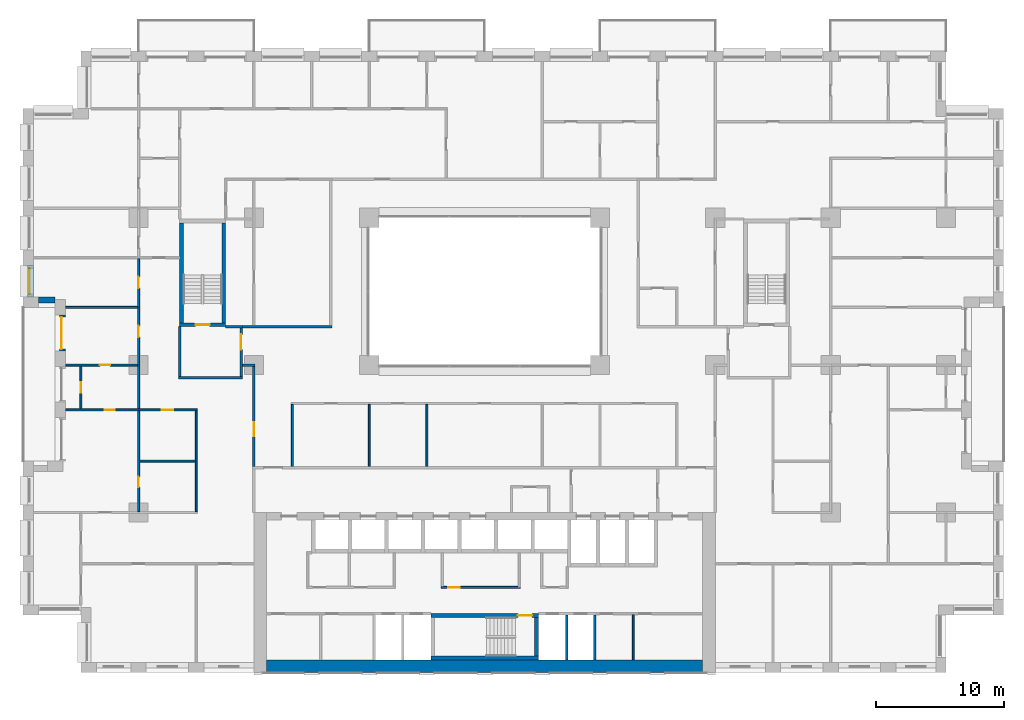
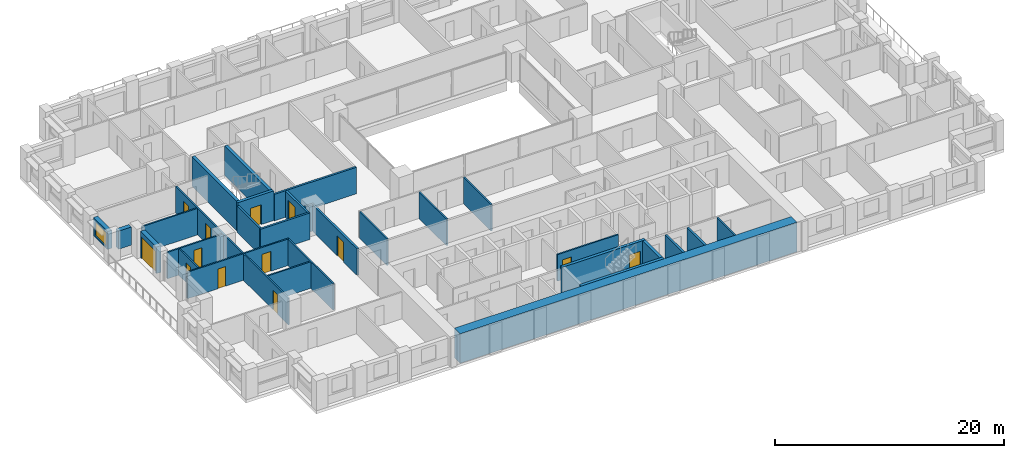
# One storey, part 10 of 20: 32 walls, 13 doors, 1 window, 14 openings.
"""IFC4 building model written with IfcOpenShell, lengths in metres."""

from ifc_helpers import new_model, si_unit, direction, frame, frame_2d, origin, place, context, subcontext, project, spatial, rectangle, extrude, material, layer, layer_set, type_object, element, fill, save


model = new_model("IFC4")

# Units and contexts
model_context = context("Model", 3, precision=1e-05, world=origin(), true_north=direction((0.0, 1.0)))
body_context = subcontext(model_context, "Body", "Model", "MODEL_VIEW")
ifc_project = project(units=[si_unit("LENGTHUNIT", "METRE"), si_unit("AREAUNIT", "SQUARE_METRE"), si_unit("VOLUMEUNIT", "CUBIC_METRE"), si_unit("PLANEANGLEUNIT", "RADIAN"), si_unit("MASSUNIT", "GRAM", prefix="KILO")], contexts=[model_context])

# Site, building, storey
site_placement = place(None, origin())
site = spatial("IfcSite", under=ifc_project, at=site_placement, CompositionType="ELEMENT")
building_placement = place(site_placement, origin())
building = spatial("IfcBuilding", under=site, at=building_placement, Name="Brigalow Station Residences", CompositionType="ELEMENT")
storey_placement = place(building_placement, frame((0.0, 0.0, 44.699951171875)))
storey = spatial("IfcBuildingStorey", under=building, at=storey_placement, Name="L12", CompositionType="ELEMENT", Elevation=44.699951171875)

# Wall, opening, window
ifc_material_1 = material(Name="Clay brick masonry", Category="masonry")
ifc_layer_1 = layer(ifc_material_1, 0.449951171875)
ifc_layer_set_1 = layer_set([ifc_layer_1], Name="BRICK INFILL WALL 450")
wall_type_1 = type_object("IfcWallType", Name="BRICK INFILL WALL 450", PredefinedType="SOLIDWALL", material=ifc_layer_set_1)
wall_1_placement = place(storey_placement, frame((0.574951171875, 31.77490234375, 0.900146484375), z_axis=(0.0, 0.0, 1.0), x_axis=(0.0, -1.0, 0.0)))
wall_1 = element("IfcWall", 1, at=wall_1_placement, inside=storey, type_object=wall_type_1, Name="L12/ewall/W-L12-45", PredefinedType="SOLIDWALL", context=body_context, shape_type="SweptSolid", body=[
    extrude(rectangle(XDim=2.474853515625, YDim=0.449951171875, at=frame_2d((1.2373046875, 0.0))), origin(), (0.0, 0.0, 1.0), 1.929931640625),
])
opening_1_placement = place(wall_1_placement, frame((0.237548828125, 0.0, 0.14990234375)))
opening_1 = element("IfcOpeningElement", 2, at=opening_1_placement, cuts=wall_1, Name="Opening WT-7", PredefinedType="OPENING", context=body_context, shape_type="SweptSolid", body=[
    extrude(rectangle(XDim=2.0, YDim=1.5, at=frame_2d((1.0, 0.75))), frame((0.0, 0.23486328125, 0.0), z_axis=(0.0, -1.0, 0.0), x_axis=(1.0, 0.0, 0.0)), (0.0, 0.0, 1.0), 0.469970703125),
])
ifc_material_2 = material(Name="Anodised aluminium frame with double glazing", Category="aluminium")
window_type = type_object("IfcWindowType", Name="WINDOW 2000x1500", PartitioningType="SINGLE_PANEL", PredefinedType="WINDOW", material=ifc_material_2)
window_placement = place(opening_1_placement, origin())
window = element("IfcWindow", 3, at=window_placement, inside=storey, type_object=window_type, Name="L12/window/W-L12-45", OverallHeight=1.5, OverallWidth=2.0, PartitioningType="SINGLE_PANEL", PredefinedType="WINDOW", context=body_context, shape_type="SweptSolid", body=[
    extrude(rectangle(XDim=2.0, YDim=1.5, at=frame_2d((1.0, 0.75))), frame((0.0, -0.06494140625, 0.0), z_axis=(0.0, -1.0, 0.0), x_axis=(1.0, 0.0, 0.0)), (0.0, 0.0, 1.0), 0.06005859375),
])
fill(opening_1, window)

# Wall
wall_2_placement = place(storey_placement, frame((1.199951171875, 29.074951171875, 0.900146484375), z_axis=(0.0, 0.0, 1.0), x_axis=(1.0, 0.0, 0.0)))
element("IfcWall", 4, at=wall_2_placement, inside=storey, type_object=wall_type_1, Name="L12/ewall/W-L12-46", PredefinedType="SOLIDWALL", context=body_context, shape_type="SweptSolid", body=[
    extrude(rectangle(XDim=1.300048828125, YDim=0.449951171875, at=frame_2d((0.64990234375, 0.0))), origin(), (0.0, 0.0, 1.0), 1.929931640625),
])

# Wall, opening, door
wall_3_placement = place(storey_placement, frame((3.074951171875, 27.89990234375, 0.0), z_axis=(0.0, 0.0, 1.0), x_axis=(0.0, -1.0, 0.0)))
wall_3 = element("IfcWall", 5, at=wall_3_placement, inside=storey, type_object=wall_type_1, Name="L12/ewall/W-L12-47", PredefinedType="SOLIDWALL", context=body_context, shape_type="SweptSolid", body=[
    extrude(rectangle(XDim=2.7998046875, YDim=0.449951171875, at=frame_2d((1.39990234375, 0.0))), origin(), (0.0, 0.0, 1.0), 2.830078125),
])
opening_2_placement = place(wall_3_placement, frame((0.14990234375, 0.0, 0.0)))
opening_2 = element("IfcOpeningElement", 6, at=opening_2_placement, cuts=wall_3, Name="Opening D-B2500", PredefinedType="OPENING", context=body_context, shape_type="SweptSolid", body=[
    extrude(rectangle(XDim=2.5, YDim=2.300048828125, at=frame_2d((1.25, 1.14990234375))), frame((0.0, 0.23486328125, 0.0), z_axis=(0.0, -1.0, 0.0), x_axis=(1.0, 0.0, 0.0)), (0.0, 0.0, 1.0), 0.469970703125),
])
ifc_material_3 = material(Name="Anodised aluminium frame with double glazing", Category="aluminium")
door_type_1 = type_object("IfcDoorType", Name="BALCONY SLIDING DOOR 2500x2300", OperationType="SLIDING_TO_LEFT", PredefinedType="DOOR", material=ifc_material_3)
door_1_placement = place(opening_2_placement, origin())
door_1 = element("IfcDoor", 7, at=door_1_placement, inside=storey, type_object=door_type_1, Name="L12/balcony-door/W-L12-47", OperationType="SLIDING_TO_LEFT", OverallHeight=2.300048828125, OverallWidth=2.5, PredefinedType="DOOR", context=body_context, shape_type="SweptSolid", body=[
    extrude(rectangle(XDim=2.5, YDim=2.300048828125, at=frame_2d((1.25, 1.14990234375))), frame((0.0, -0.06982421875, 0.0), z_axis=(0.0, -1.0, 0.0), x_axis=(1.0, 0.0, 0.0)), (0.0, 0.0, 1.0), 0.050048828125),
])
fill(opening_2, door_1)

# Walls
ifc_material_4 = material(Name="Concrete C80", Category="concrete")
ifc_layer_2 = layer(ifc_material_4, 1.0)
ifc_layer_set_2 = layer_set([ifc_layer_2], Name="CORE SHEAR WALL 1000 C80")
wall_type_2 = type_object("IfcWallType", Name="CORE SHEAR WALL 1000 C80", PredefinedType="SHEAR", material=ifc_layer_set_2)
wall_4_placement = place(storey_placement, frame((19.0, 0.5, 0.0), z_axis=(0.0, 0.0, 1.0), x_axis=(1.0, 0.0, 0.0)))
element("IfcWall", 8, at=wall_4_placement, inside=storey, type_object=wall_type_2, Name="CORE WALL OUT-S L12", PredefinedType="SHEAR", context=body_context, shape_type="SweptSolid", body=[
    extrude(rectangle(XDim=34.0, YDim=1.0, at=frame_2d((17.0, 0.0))), origin(), (0.0, 0.0, 1.0), 3.150146484375),
])
ifc_material_5 = material(Name="Concrete C80", Category="concrete")
ifc_layer_3 = layer(ifc_material_5, 0.300048828125)
ifc_layer_set_3 = layer_set([ifc_layer_3], Name="CORE SHEAR WALL 300 C80")
wall_type_3 = type_object("IfcWallType", Name="CORE SHEAR WALL 300 C80", PredefinedType="SHEAR", material=ifc_layer_set_3)
wall_5_placement = place(storey_placement, frame((31.800048828125, 1.14990234375, 0.0), z_axis=(0.0, 0.0, 1.0), x_axis=(1.0, 0.0, 0.0)))
element("IfcWall", 9, at=wall_5_placement, inside=storey, type_object=wall_type_3, Name="CORE WALL ST-S2-S L12", PredefinedType="SHEAR", context=body_context, shape_type="SweptSolid", body=[
    extrude(rectangle(XDim=8.39990234375, YDim=0.300048828125, at=frame_2d((4.199951171875, 0.0))), origin(), (0.0, 0.0, 1.0), 3.150146484375),
])

# Wall, opening, door
wall_6_placement = place(storey_placement, frame((31.800048828125, 4.449951171875, 0.0), z_axis=(0.0, 0.0, 1.0), x_axis=(1.0, 0.0, 0.0)))
wall_6 = element("IfcWall", 10, at=wall_6_placement, inside=storey, type_object=wall_type_3, Name="CORE WALL ST-S2-N L12", PredefinedType="SHEAR", context=body_context, shape_type="SweptSolid", body=[
    extrude(rectangle(XDim=8.39990234375, YDim=0.300048828125, at=frame_2d((4.199951171875, 0.0))), origin(), (0.0, 0.0, 1.0), 3.150146484375),
])
opening_3_placement = place(wall_6_placement, frame((6.800048828125, 0.0, 0.0)))
opening_3 = element("IfcOpeningElement", 11, at=opening_3_placement, cuts=wall_6, Name="Opening D-5001", PredefinedType="OPENING", context=body_context, shape_type="SweptSolid", body=[
    extrude(rectangle(XDim=1.10009765625, YDim=2.10009765625, at=frame_2d((0.550048828125, 1.050048828125))), frame((0.0, 0.16015625, 0.0), z_axis=(0.0, -1.0, 0.0), x_axis=(1.0, 0.0, 0.0)), (0.0, 0.0, 1.0), 0.320068359375),
])
ifc_material_6 = material(Name="Steel fire door leaf in steel frame", Category="steel")
door_type_2 = type_object("IfcDoorType", Name="STAIR DOOR 1100 x 2100 FD60S", OperationType="SINGLE_SWING_LEFT", PredefinedType="DOOR", material=ifc_material_6)
door_2_placement = place(opening_3_placement, frame((1.10009765625, 0.0, 0.0), z_axis=(0.0, 0.0, 1.0), x_axis=(-1.0, 0.0, 0.0)))
door_2 = element("IfcDoor", 12, at=door_2_placement, inside=storey, type_object=door_type_2, Name="D-5001", OperationType="SINGLE_SWING_LEFT", OverallHeight=2.10009765625, OverallWidth=1.10009765625, PredefinedType="DOOR", context=body_context, shape_type="SweptSolid", body=[
    extrude(rectangle(XDim=1.10009765625, YDim=2.10009765625, at=frame_2d((0.550048828125, 1.050048828125))), frame((0.0, 0.02490234375, 0.0), z_axis=(0.0, -1.0, 0.0), x_axis=(1.0, 0.0, 0.0)), (0.0, 0.0, 1.0), 0.050048828125),
])
fill(opening_3, door_2)

# Wall
wall_7_placement = place(storey_placement, frame((40.050048828125, 1.300048828125, 0.0), z_axis=(0.0, 0.0, 1.0), x_axis=(0.0, 1.0, 0.0)))
element("IfcWall", 13, at=wall_7_placement, inside=storey, type_object=wall_type_3, Name="CORE WALL ST-S2-E L12", PredefinedType="SHEAR", context=body_context, shape_type="SweptSolid", body=[
    extrude(rectangle(XDim=3.0, YDim=0.300048828125, at=frame_2d((1.5, 0.0))), origin(), (0.0, 0.0, 1.0), 3.150146484375),
])

# Wall, opening, door
wall_8_placement = place(storey_placement, frame((12.199951171875, 27.14990234375, 0.0), z_axis=(0.0, 0.0, 1.0), x_axis=(1.0, 0.0, 0.0)))
wall_8 = element("IfcWall", 14, at=wall_8_placement, inside=storey, type_object=wall_type_3, Name="CORE WALL ST-S1-S L12", PredefinedType="SHEAR", context=body_context, shape_type="SweptSolid", body=[
    extrude(rectangle(XDim=3.60009765625, YDim=0.300048828125, at=frame_2d((1.800048828125, 0.0))), origin(), (0.0, 0.0, 1.0), 3.150146484375),
])
opening_4_placement = place(wall_8_placement, frame((1.25, 0.0, 0.0)))
opening_4 = element("IfcOpeningElement", 15, at=opening_4_placement, cuts=wall_8, Name="Opening D-5015", PredefinedType="OPENING", context=body_context, shape_type="SweptSolid", body=[
    extrude(rectangle(XDim=1.10009765625, YDim=2.10009765625, at=frame_2d((0.550048828125, 1.050048828125))), frame((0.0, 0.16015625, 0.0), z_axis=(0.0, -1.0, 0.0), x_axis=(1.0, 0.0, 0.0)), (0.0, 0.0, 1.0), 0.320068359375),
])
door_3_placement = place(opening_4_placement, origin())
door_3 = element("IfcDoor", 16, at=door_3_placement, inside=storey, type_object=door_type_2, Name="D-5015", OperationType="SINGLE_SWING_LEFT", OverallHeight=2.10009765625, OverallWidth=1.10009765625, PredefinedType="DOOR", context=body_context, shape_type="SweptSolid", body=[
    extrude(rectangle(XDim=1.10009765625, YDim=2.10009765625, at=frame_2d((0.550048828125, 1.050048828125))), frame((0.0, 0.02490234375, 0.0), z_axis=(0.0, -1.0, 0.0), x_axis=(1.0, 0.0, 0.0)), (0.0, 0.0, 1.0), 0.050048828125),
])
fill(opening_4, door_3)

# Walls
for number, where, z_axis, x_axis, name in (
    (17, (12.35009765625, 27.300048828125, 0.0), (0.0, 0.0, 1.0), (0.0, 1.0, 0.0), "CORE WALL ST-S1-W L12"),
    (18, (15.64990234375, 27.300048828125, 0.0), (0.0, 0.0, 1.0), (0.0, 1.0, 0.0), "CORE WALL ST-S1-E L12"),
):
    element("IfcWall", number, at=place(storey_placement, frame(where, z_axis=z_axis, x_axis=x_axis)), inside=storey, type_object=wall_type_3, Name=name, PredefinedType="SHEAR", context=body_context, shape_type="SweptSolid", body=[
        extrude(rectangle(XDim=7.800048828125, YDim=0.300048828125, at=frame_2d((3.89990234375, 0.0))), origin(), (0.0, 0.0, 1.0), 3.150146484375),
    ])
ifc_material_7 = material(Name="Concrete blockwork", Category="masonry")
ifc_layer_4 = layer(ifc_material_7, 0.199951171875)
ifc_layer_set_4 = layer_set([ifc_layer_4], Name="FIRE RATED CORE PARTITION 200")
wall_type_4 = type_object("IfcWallType", Name="FIRE RATED CORE PARTITION 200", PredefinedType="PARTITIONING", material=ifc_layer_set_4)
wall_9_placement = place(storey_placement, frame((12.10009765625, 23.0, 0.0), z_axis=(0.0, 0.0, 1.0), x_axis=(1.0, 0.0, 0.0)))
element("IfcWall", 19, at=wall_9_placement, inside=storey, type_object=wall_type_4, Name="PW-5023", PredefinedType="PARTITIONING", context=body_context, shape_type="SweptSolid", body=[
    extrude(rectangle(XDim=5.0, YDim=0.199951171875, at=frame_2d((2.5, 0.0))), origin(), (0.0, 0.0, 1.0), 2.830078125),
])
wall_10_placement = place(storey_placement, frame((15.800048828125, 27.0, 0.0), z_axis=(0.0, 0.0, 1.0), x_axis=(1.0, 0.0, 0.0)))
element("IfcWall", 20, at=wall_10_placement, inside=storey, type_object=wall_type_4, Name="PW-5025", PredefinedType="PARTITIONING", context=body_context, shape_type="SweptSolid", body=[
    extrude(rectangle(XDim=1.300048828125, YDim=0.199951171875, at=frame_2d((0.64990234375, 0.0))), origin(), (0.0, 0.0, 1.0), 2.830078125),
])
for number, where, z_axis, x_axis, name in (
    (21, (42.39990234375, 1.0, 0.0), (0.0, 0.0, 1.0), (0.0, 1.0, 0.0), "PW-5007"),
    (22, (44.60009765625, 1.0, 0.0), (0.0, 0.0, 1.0), (0.0, 1.0, 0.0), "PW-5008"),
):
    element("IfcWall", number, at=place(storey_placement, frame(where, z_axis=z_axis, x_axis=x_axis)), inside=storey, type_object=wall_type_4, Name=name, PredefinedType="PARTITIONING", context=body_context, shape_type="SweptSolid", body=[
        extrude(rectangle(XDim=3.5, YDim=0.199951171875, at=frame_2d((1.75, 0.0))), origin(), (0.0, 0.0, 1.0), 2.830078125),
    ])
wall_11_placement = place(storey_placement, frame((12.199951171875, 23.10009765625, 0.0), z_axis=(0.0, 0.0, 1.0), x_axis=(0.0, 1.0, 0.0)))
element("IfcWall", 23, at=wall_11_placement, inside=storey, type_object=wall_type_4, Name="PW-5034", PredefinedType="PARTITIONING", context=body_context, shape_type="SweptSolid", body=[
    extrude(rectangle(XDim=3.89990234375, YDim=0.199951171875, at=frame_2d((1.949951171875, 0.0))), origin(), (0.0, 0.0, 1.0), 2.830078125),
])

# Wall, opening, door
wall_12_placement = place(storey_placement, frame((17.0, 23.10009765625, 0.0), z_axis=(0.0, 0.0, 1.0), x_axis=(0.0, 1.0, 0.0)))
wall_12 = element("IfcWall", 24, at=wall_12_placement, inside=storey, type_object=wall_type_4, Name="PW-5035", PredefinedType="PARTITIONING", context=body_context, shape_type="SweptSolid", body=[
    extrude(rectangle(XDim=3.7998046875, YDim=0.199951171875, at=frame_2d((1.89990234375, 0.0))), origin(), (0.0, 0.0, 1.0), 2.830078125),
])
opening_5_placement = place(wall_12_placement, frame((2.10009765625, 0.0, 0.0)))
opening_5 = element("IfcOpeningElement", 25, at=opening_5_placement, cuts=wall_12, Name="Opening D-5016", PredefinedType="OPENING", context=body_context, shape_type="SweptSolid", body=[
    extrude(rectangle(XDim=1.199951171875, YDim=2.10009765625, at=frame_2d((0.60009765625, 1.050048828125))), frame((0.0, 0.10986328125, 0.0), z_axis=(0.0, -1.0, 0.0), x_axis=(1.0, 0.0, 0.0)), (0.0, 0.0, 1.0), 0.219970703125),
])
ifc_material_8 = material(Name="Steel fire door leaf in steel frame", Category="steel")
door_type_3 = type_object("IfcDoorType", Name="STAIR LOBBY DOOR 1200 x 2100 FD60S", OperationType="SINGLE_SWING_LEFT", PredefinedType="DOOR", material=ifc_material_8)
door_4_placement = place(opening_5_placement, origin())
door_4 = element("IfcDoor", 26, at=door_4_placement, inside=storey, type_object=door_type_3, Name="D-5016", OperationType="SINGLE_SWING_RIGHT", OverallHeight=2.10009765625, OverallWidth=1.199951171875, PredefinedType="DOOR", context=body_context, shape_type="SweptSolid", body=[
    extrude(rectangle(XDim=1.199951171875, YDim=2.10009765625, at=frame_2d((0.60009765625, 1.050048828125))), frame((0.0, 0.02490234375, 0.0), z_axis=(0.0, -1.0, 0.0), x_axis=(1.0, 0.0, 0.0)), (0.0, 0.0, 1.0), 0.050048828125),
])
fill(opening_5, door_4)

ifc_material_9 = material(Name="Plasterboard on steel stud partition", Category="steel")
ifc_layer_5 = layer(ifc_material_9, 0.14990234375)
ifc_layer_set_5 = layer_set([ifc_layer_5], Name="FLAT PARTITION 150")
wall_type_5 = type_object("IfcWallType", Name="FLAT PARTITION 150", PredefinedType="PARTITIONING", material=ifc_layer_set_5)
wall_13_placement = place(storey_placement, frame((3.300048828125, 24.0, 0.0), z_axis=(0.0, 0.0, 1.0), x_axis=(1.0, 0.0, 0.0)))
wall_13 = element("IfcWall", 27, at=wall_13_placement, inside=storey, type_object=wall_type_5, Name="PW-1C02", PredefinedType="PARTITIONING", context=body_context, shape_type="SweptSolid", body=[
    extrude(rectangle(XDim=5.625, YDim=0.14990234375, at=frame_2d((2.8125, 0.0))), origin(), (0.0, 0.0, 1.0), 2.830078125),
])
opening_6_placement = place(wall_13_placement, frame((2.675048828125, 0.0, 0.0)))
opening_6 = element("IfcOpeningElement", 28, at=opening_6_placement, cuts=wall_13, Name="Opening D-1C04", PredefinedType="OPENING", context=body_context, shape_type="SweptSolid", body=[
    extrude(rectangle(XDim=0.800048828125, YDim=2.10009765625, at=frame_2d((0.39990234375, 1.050048828125))), frame((0.0, 0.0849609375, 0.0), z_axis=(0.0, -1.0, 0.0), x_axis=(1.0, 0.0, 0.0)), (0.0, 0.0, 1.0), 0.169921875),
])
ifc_material_10 = material(Name="Solid-core timber door leaf", Category="wood")
door_type_4 = type_object("IfcDoorType", Name="INTERNAL DOOR 800 x 2100", OperationType="SINGLE_SWING_LEFT", PredefinedType="DOOR", material=ifc_material_10)
door_5_placement = place(opening_6_placement, frame((0.800048828125, 0.0, 0.0), z_axis=(0.0, 0.0, 1.0), x_axis=(-1.0, 0.0, 0.0)))
door_5 = element("IfcDoor", 29, at=door_5_placement, inside=storey, type_object=door_type_4, Name="D-1C04", OperationType="SINGLE_SWING_RIGHT", OverallHeight=2.10009765625, OverallWidth=0.800048828125, PredefinedType="DOOR", context=body_context, shape_type="SweptSolid", body=[
    extrude(rectangle(XDim=0.800048828125, YDim=2.10009765625, at=frame_2d((0.39990234375, 1.050048828125))), frame((0.0, 0.02490234375, 0.0), z_axis=(0.0, -1.0, 0.0), x_axis=(1.0, 0.0, 0.0)), (0.0, 0.0, 1.0), 0.050048828125),
])
fill(opening_6, door_5)

# Wall, openings, doors
wall_14_placement = place(storey_placement, frame((3.300048828125, 20.5, 0.0), z_axis=(0.0, 0.0, 1.0), x_axis=(1.0, 0.0, 0.0)))
wall_14 = element("IfcWall", 30, at=wall_14_placement, inside=storey, type_object=wall_type_5, Name="PW-1C17", PredefinedType="PARTITIONING", context=body_context, shape_type="SweptSolid", body=[
    extrude(rectangle(XDim=10.27490234375, YDim=0.14990234375, at=frame_2d((5.137451171875, 0.0))), origin(), (0.0, 0.0, 1.0), 2.830078125),
])
opening_7_placement = place(wall_14_placement, frame((7.5, 0.0, 0.0)))
opening_7 = element("IfcOpeningElement", 31, at=opening_7_placement, cuts=wall_14, Name="Opening D-1C03", PredefinedType="OPENING", context=body_context, shape_type="SweptSolid", body=[
    extrude(rectangle(XDim=0.89990234375, YDim=2.10009765625, at=frame_2d((0.449951171875, 1.050048828125))), frame((0.0, 0.0849609375, 0.0), z_axis=(0.0, -1.0, 0.0), x_axis=(1.0, 0.0, 0.0)), (0.0, 0.0, 1.0), 0.169921875),
])
opening_8_placement = place(wall_14_placement, frame((3.050048828125, 0.0, 0.0)))
opening_8 = element("IfcOpeningElement", 32, at=opening_8_placement, cuts=wall_14, Name="Opening D-1C09", PredefinedType="OPENING", context=body_context, shape_type="SweptSolid", body=[
    extrude(rectangle(XDim=0.800048828125, YDim=2.10009765625, at=frame_2d((0.39990234375, 1.050048828125))), frame((0.0, 0.0849609375, 0.0), z_axis=(0.0, -1.0, 0.0), x_axis=(1.0, 0.0, 0.0)), (0.0, 0.0, 1.0), 0.169921875),
])
door_6_placement = place(opening_8_placement, origin())
door_6 = element("IfcDoor", 33, at=door_6_placement, inside=storey, type_object=door_type_4, Name="D-1C09", OperationType="SINGLE_SWING_RIGHT", OverallHeight=2.10009765625, OverallWidth=0.800048828125, PredefinedType="DOOR", context=body_context, shape_type="SweptSolid", body=[
    extrude(rectangle(XDim=0.800048828125, YDim=2.10009765625, at=frame_2d((0.39990234375, 1.050048828125))), frame((0.0, 0.02490234375, 0.0), z_axis=(0.0, -1.0, 0.0), x_axis=(1.0, 0.0, 0.0)), (0.0, 0.0, 1.0), 0.050048828125),
])
fill(opening_8, door_6)
ifc_material_11 = material(Name="Solid-core timber door leaf", Category="wood")
door_type_5 = type_object("IfcDoorType", Name="INTERNAL DOOR 900 x 2100", OperationType="SINGLE_SWING_LEFT", PredefinedType="DOOR", material=ifc_material_11)
door_7_placement = place(opening_7_placement, frame((0.89990234375, 0.0, 0.0), z_axis=(0.0, 0.0, 1.0), x_axis=(-1.0, 0.0, 0.0)))
door_7 = element("IfcDoor", 34, at=door_7_placement, inside=storey, type_object=door_type_5, Name="D-1C03", OperationType="SINGLE_SWING_LEFT", OverallHeight=2.10009765625, OverallWidth=0.89990234375, PredefinedType="DOOR", context=body_context, shape_type="SweptSolid", body=[
    extrude(rectangle(XDim=0.89990234375, YDim=2.10009765625, at=frame_2d((0.449951171875, 1.050048828125))), frame((0.0, 0.02490234375, 0.0), z_axis=(0.0, -1.0, 0.0), x_axis=(1.0, 0.0, 0.0)), (0.0, 0.0, 1.0), 0.050048828125),
])
fill(opening_7, door_7)

# Walls
wall_15_placement = place(storey_placement, frame((9.074951171875, 16.5, 0.0), z_axis=(0.0, 0.0, 1.0), x_axis=(1.0, 0.0, 0.0)))
element("IfcWall", 35, at=wall_15_placement, inside=storey, type_object=wall_type_5, Name="PW-1C21", PredefinedType="PARTITIONING", context=body_context, shape_type="SweptSolid", body=[
    extrude(rectangle(XDim=4.35009765625, YDim=0.14990234375, at=frame_2d((2.175048828125, 0.0))), origin(), (0.0, 0.0, 1.0), 2.830078125),
])
wall_16_placement = place(storey_placement, frame((3.300048828125, 28.5, 0.0), z_axis=(0.0, 0.0, 1.0), x_axis=(1.0, 0.0, 0.0)))
element("IfcWall", 36, at=wall_16_placement, inside=storey, type_object=wall_type_5, Name="PW-1C23", PredefinedType="PARTITIONING", context=body_context, shape_type="SweptSolid", body=[
    extrude(rectangle(XDim=5.625, YDim=0.14990234375, at=frame_2d((2.8125, 0.0))), origin(), (0.0, 0.0, 1.0), 2.830078125),
])
wall_17_placement = place(storey_placement, frame((21.0, 16.10009765625, 0.0), z_axis=(0.0, 0.0, 1.0), x_axis=(0.0, 1.0, 0.0)))
element("IfcWall", 37, at=wall_17_placement, inside=storey, type_object=wall_type_5, Name="PW-1C44", PredefinedType="PARTITIONING", context=body_context, shape_type="SweptSolid", body=[
    extrude(rectangle(XDim=4.824951171875, YDim=0.14990234375, at=frame_2d((2.41259765625, 0.0))), origin(), (0.0, 0.0, 1.0), 2.830078125),
])
wall_18_placement = place(storey_placement, frame((13.5, 12.574951171875, 0.0), z_axis=(0.0, 0.0, 1.0), x_axis=(0.0, 1.0, 0.0)))
element("IfcWall", 38, at=wall_18_placement, inside=storey, type_object=wall_type_5, Name="PW-1C50", PredefinedType="PARTITIONING", context=body_context, shape_type="SweptSolid", body=[
    extrude(rectangle(XDim=7.85009765625, YDim=0.14990234375, at=frame_2d((3.925048828125, 0.0))), origin(), (0.0, 0.0, 1.0), 2.830078125),
])

# Wall, opening, door
wall_19_placement = place(storey_placement, frame((4.5, 20.574951171875, 0.0), z_axis=(0.0, 0.0, 1.0), x_axis=(0.0, 1.0, 0.0)))
wall_19 = element("IfcWall", 39, at=wall_19_placement, inside=storey, type_object=wall_type_5, Name="PW-1C52", PredefinedType="PARTITIONING", context=body_context, shape_type="SweptSolid", body=[
    extrude(rectangle(XDim=3.35009765625, YDim=0.14990234375, at=frame_2d((1.675048828125, 0.0))), origin(), (0.0, 0.0, 1.0), 2.830078125),
])
opening_9_placement = place(wall_19_placement, frame((1.27490234375, 0.0, 0.0)))
opening_9 = element("IfcOpeningElement", 40, at=opening_9_placement, cuts=wall_19, Name="Opening D-1C10", PredefinedType="OPENING", context=body_context, shape_type="SweptSolid", body=[
    extrude(rectangle(XDim=0.800048828125, YDim=2.10009765625, at=frame_2d((0.39990234375, 1.050048828125))), frame((0.0, 0.0849609375, 0.0), z_axis=(0.0, -1.0, 0.0), x_axis=(1.0, 0.0, 0.0)), (0.0, 0.0, 1.0), 0.169921875),
])
door_8_placement = place(opening_9_placement, origin())
door_8 = element("IfcDoor", 41, at=door_8_placement, inside=storey, type_object=door_type_4, Name="D-1C10", OperationType="SINGLE_SWING_LEFT", OverallHeight=2.10009765625, OverallWidth=0.800048828125, PredefinedType="DOOR", context=body_context, shape_type="SweptSolid", body=[
    extrude(rectangle(XDim=0.800048828125, YDim=2.10009765625, at=frame_2d((0.39990234375, 1.050048828125))), frame((0.0, 0.02490234375, 0.0), z_axis=(0.0, -1.0, 0.0), x_axis=(1.0, 0.0, 0.0)), (0.0, 0.0, 1.0), 0.050048828125),
])
fill(opening_9, door_8)

wall_20_placement = place(storey_placement, frame((9.0, 12.574951171875, 0.0), z_axis=(0.0, 0.0, 1.0), x_axis=(0.0, 1.0, 0.0)))
wall_20 = element("IfcWall", 42, at=wall_20_placement, inside=storey, type_object=wall_type_5, Name="PW-1C53", PredefinedType="PARTITIONING", context=body_context, shape_type="SweptSolid", body=[
    extrude(rectangle(XDim=7.85009765625, YDim=0.14990234375, at=frame_2d((3.925048828125, 0.0))), origin(), (0.0, 0.0, 1.0), 2.830078125),
])
opening_10_placement = place(wall_20_placement, frame((1.89990234375, 0.0, 0.0)))
opening_10 = element("IfcOpeningElement", 43, at=opening_10_placement, cuts=wall_20, Name="Opening D-1C11", PredefinedType="OPENING", context=body_context, shape_type="SweptSolid", body=[
    extrude(rectangle(XDim=0.800048828125, YDim=2.10009765625, at=frame_2d((0.39990234375, 1.050048828125))), frame((0.0, 0.0849609375, 0.0), z_axis=(0.0, -1.0, 0.0), x_axis=(1.0, 0.0, 0.0)), (0.0, 0.0, 1.0), 0.169921875),
])
door_9_placement = place(opening_10_placement, frame((0.800048828125, 0.0, 0.0), z_axis=(0.0, 0.0, 1.0), x_axis=(-1.0, 0.0, 0.0)))
door_9 = element("IfcDoor", 44, at=door_9_placement, inside=storey, type_object=door_type_4, Name="D-1C11", OperationType="SINGLE_SWING_LEFT", OverallHeight=2.10009765625, OverallWidth=0.800048828125, PredefinedType="DOOR", context=body_context, shape_type="SweptSolid", body=[
    extrude(rectangle(XDim=0.800048828125, YDim=2.10009765625, at=frame_2d((0.39990234375, 1.050048828125))), frame((0.0, 0.02490234375, 0.0), z_axis=(0.0, -1.0, 0.0), x_axis=(1.0, 0.0, 0.0)), (0.0, 0.0, 1.0), 0.050048828125),
])
fill(opening_10, door_9)

# Wall, openings, doors
wall_21_placement = place(storey_placement, frame((9.0, 20.574951171875, 0.0), z_axis=(0.0, 0.0, 1.0), x_axis=(0.0, 1.0, 0.0)))
wall_21 = element("IfcWall", 45, at=wall_21_placement, inside=storey, type_object=wall_type_5, Name="PW-1C54", PredefinedType="PARTITIONING", context=body_context, shape_type="SweptSolid", body=[
    extrude(rectangle(XDim=11.72509765625, YDim=0.14990234375, at=frame_2d((5.862548828125, 0.0))), origin(), (0.0, 0.0, 1.0), 2.830078125),
])
opening_11_placement = place(wall_21_placement, frame((5.60009765625, 0.0, 0.0)))
opening_11 = element("IfcOpeningElement", 46, at=opening_11_placement, cuts=wall_21, Name="Opening D-1C05", PredefinedType="OPENING", context=body_context, shape_type="SweptSolid", body=[
    extrude(rectangle(XDim=0.89990234375, YDim=2.10009765625, at=frame_2d((0.449951171875, 1.050048828125))), frame((0.0, 0.0849609375, 0.0), z_axis=(0.0, -1.0, 0.0), x_axis=(1.0, 0.0, 0.0)), (0.0, 0.0, 1.0), 0.169921875),
])
opening_12_placement = place(wall_21_placement, frame((9.4130859375, 0.0, 0.0)))
opening_12 = element("IfcOpeningElement", 47, at=opening_12_placement, cuts=wall_21, Name="Opening D-1C06", PredefinedType="OPENING", context=body_context, shape_type="SweptSolid", body=[
    extrude(rectangle(XDim=0.89990234375, YDim=2.10009765625, at=frame_2d((0.449951171875, 1.050048828125))), frame((0.0, 0.0849609375, 0.0), z_axis=(0.0, -1.0, 0.0), x_axis=(1.0, 0.0, 0.0)), (0.0, 0.0, 1.0), 0.169921875),
])
door_10_placement = place(opening_11_placement, origin())
door_10 = element("IfcDoor", 48, at=door_10_placement, inside=storey, type_object=door_type_5, Name="D-1C05", OperationType="SINGLE_SWING_RIGHT", OverallHeight=2.10009765625, OverallWidth=0.89990234375, PredefinedType="DOOR", context=body_context, shape_type="SweptSolid", body=[
    extrude(rectangle(XDim=0.89990234375, YDim=2.10009765625, at=frame_2d((0.449951171875, 1.050048828125))), frame((0.0, 0.02490234375, 0.0), z_axis=(0.0, -1.0, 0.0), x_axis=(1.0, 0.0, 0.0)), (0.0, 0.0, 1.0), 0.050048828125),
])
fill(opening_11, door_10)
door_11_placement = place(opening_12_placement, origin())
door_11 = element("IfcDoor", 49, at=door_11_placement, inside=storey, type_object=door_type_5, Name="D-1C06", OperationType="SINGLE_SWING_RIGHT", OverallHeight=2.10009765625, OverallWidth=0.89990234375, PredefinedType="DOOR", context=body_context, shape_type="SweptSolid", body=[
    extrude(rectangle(XDim=0.89990234375, YDim=2.10009765625, at=frame_2d((0.449951171875, 1.050048828125))), frame((0.0, 0.02490234375, 0.0), z_axis=(0.0, -1.0, 0.0), x_axis=(1.0, 0.0, 0.0)), (0.0, 0.0, 1.0), 0.050048828125),
])
fill(opening_12, door_11)

# Walls
for number, where, z_axis, x_axis, name in (
    (50, (27.0, 16.10009765625, 0.0), (0.0, 0.0, 1.0), (0.0, 1.0, 0.0), "PW-1C63"),
    (51, (31.5, 16.10009765625, 0.0), (0.0, 0.0, 1.0), (0.0, 1.0, 0.0), "PW-1C65"),
):
    element("IfcWall", number, at=place(storey_placement, frame(where, z_axis=z_axis, x_axis=x_axis)), inside=storey, type_object=wall_type_5, Name=name, PredefinedType="PARTITIONING", context=body_context, shape_type="SweptSolid", body=[
        extrude(rectangle(XDim=4.824951171875, YDim=0.14990234375, at=frame_2d((2.41259765625, 0.0))), origin(), (0.0, 0.0, 1.0), 2.830078125),
    ])
ifc_material_12 = material(Name="Plasterboard on steel stud partition", Category="steel")
ifc_layer_6 = layer(ifc_material_12, 0.199951171875)
ifc_layer_set_6 = layer_set([ifc_layer_6], Name="PARTY AND CORRIDOR WALL 200")
wall_type_6 = type_object("IfcWallType", Name="PARTY AND CORRIDOR WALL 200", PredefinedType="PARTITIONING", material=ifc_layer_set_6)
wall_22_placement = place(storey_placement, frame((17.10009765625, 24.0, 0.0), z_axis=(0.0, 0.0, 1.0), x_axis=(1.0, 0.0, 0.0)))
element("IfcWall", 52, at=wall_22_placement, inside=storey, type_object=wall_type_6, Name="PW-1C04", PredefinedType="PARTITIONING", context=body_context, shape_type="SweptSolid", body=[
    extrude(rectangle(XDim=1.0, YDim=0.199951171875, at=frame_2d((0.5, 0.0))), origin(), (0.0, 0.0, 1.0), 2.830078125),
])
wall_23_placement = place(storey_placement, frame((17.10009765625, 27.0, 0.0), z_axis=(0.0, 0.0, 1.0), x_axis=(1.0, 0.0, 0.0)))
element("IfcWall", 53, at=wall_23_placement, inside=storey, type_object=wall_type_6, Name="PW-1C07", PredefinedType="PARTITIONING", context=body_context, shape_type="SweptSolid", body=[
    extrude(rectangle(XDim=7.0, YDim=0.199951171875, at=frame_2d((3.5, 0.0))), origin(), (0.0, 0.0, 1.0), 2.830078125),
])

# Wall, opening, door
wall_24_placement = place(storey_placement, frame((18.0, 16.10009765625, 0.0), z_axis=(0.0, 0.0, 1.0), x_axis=(0.0, 1.0, 0.0)))
wall_24 = element("IfcWall", 54, at=wall_24_placement, inside=storey, type_object=wall_type_6, Name="PW-1C40", PredefinedType="PARTITIONING", context=body_context, shape_type="SweptSolid", body=[
    extrude(rectangle(XDim=7.7998046875, YDim=0.199951171875, at=frame_2d((3.89990234375, 0.0))), origin(), (0.0, 0.0, 1.0), 2.830078125),
])
opening_13_placement = place(wall_24_placement, frame((2.35009765625, 0.0, 0.0)))
opening_13 = element("IfcOpeningElement", 55, at=opening_13_placement, cuts=wall_24, Name="Opening D-1C17", PredefinedType="OPENING", context=body_context, shape_type="SweptSolid", body=[
    extrude(rectangle(XDim=1.10009765625, YDim=2.10009765625, at=frame_2d((0.550048828125, 1.050048828125))), frame((0.0, 0.10986328125, 0.0), z_axis=(0.0, -1.0, 0.0), x_axis=(1.0, 0.0, 0.0)), (0.0, 0.0, 1.0), 0.219970703125),
])
ifc_material_13 = material(Name="Solid-core timber door leaf", Category="wood")
door_type_6 = type_object("IfcDoorType", Name="FLAT ENTRANCE DOOR 1100 x 2100 FRL -/60/30", OperationType="SINGLE_SWING_LEFT", PredefinedType="DOOR", material=ifc_material_13)
door_12_placement = place(opening_13_placement, origin())
door_12 = element("IfcDoor", 56, at=door_12_placement, inside=storey, type_object=door_type_6, Name="D-1C17", OperationType="SINGLE_SWING_RIGHT", OverallHeight=2.10009765625, OverallWidth=1.10009765625, PredefinedType="DOOR", context=body_context, shape_type="SweptSolid", body=[
    extrude(rectangle(XDim=1.10009765625, YDim=2.10009765625, at=frame_2d((0.550048828125, 1.050048828125))), frame((0.0, 0.02490234375, 0.0), z_axis=(0.0, -1.0, 0.0), x_axis=(1.0, 0.0, 0.0)), (0.0, 0.0, 1.0), 0.050048828125),
])
fill(opening_13, door_12)

ifc_material_14 = material(Name="Plasterboard on steel studs", Category="steel")
ifc_layer_7 = layer(ifc_material_14, 0.14990234375)
ifc_layer_set_7 = layer_set([ifc_layer_7], Name="SERVICE ROOM PARTITION 150")
wall_type_7 = type_object("IfcWallType", Name="SERVICE ROOM PARTITION 150", PredefinedType="PARTITIONING", material=ifc_layer_set_7)
wall_25_placement = place(storey_placement, frame((32.625, 6.64990234375, 0.0), z_axis=(0.0, 0.0, 1.0), x_axis=(1.0, 0.0, 0.0)))
wall_25 = element("IfcWall", 57, at=wall_25_placement, inside=storey, type_object=wall_type_7, Name="PW-5127", PredefinedType="PARTITIONING", context=body_context, shape_type="SweptSolid", body=[
    extrude(rectangle(XDim=6.14990234375, YDim=0.14990234375, at=frame_2d((3.074951171875, 0.0))), origin(), (0.0, 0.0, 1.0), 2.830078125),
])
opening_14_placement = place(wall_25_placement, frame((0.52490234375, 0.0, 0.0)))
opening_14 = element("IfcOpeningElement", 58, at=opening_14_placement, cuts=wall_25, Name="Opening D-5073", PredefinedType="OPENING", context=body_context, shape_type="SweptSolid", body=[
    extrude(rectangle(XDim=0.89990234375, YDim=2.10009765625, at=frame_2d((0.449951171875, 1.050048828125))), frame((0.0, 0.0849609375, 0.0), z_axis=(0.0, -1.0, 0.0), x_axis=(1.0, 0.0, 0.0)), (0.0, 0.0, 1.0), 0.169921875),
])
ifc_material_15 = material(Name="Steel door leaf in steel frame", Category="steel")
door_type_7 = type_object("IfcDoorType", Name="SERVICE ROOM DOOR 900 x 2100 FD60", OperationType="SINGLE_SWING_LEFT", PredefinedType="DOOR", material=ifc_material_15)
door_13_placement = place(opening_14_placement, origin())
door_13 = element("IfcDoor", 59, at=door_13_placement, inside=storey, type_object=door_type_7, Name="D-5073", OperationType="SINGLE_SWING_LEFT", OverallHeight=2.10009765625, OverallWidth=0.89990234375, PredefinedType="DOOR", context=body_context, shape_type="SweptSolid", body=[
    extrude(rectangle(XDim=0.89990234375, YDim=2.10009765625, at=frame_2d((0.449951171875, 1.050048828125))), frame((0.0, 0.02490234375, 0.0), z_axis=(0.0, -1.0, 0.0), x_axis=(1.0, 0.0, 0.0)), (0.0, 0.0, 1.0), 0.050048828125),
])
fill(opening_14, door_13)

# Wall
wall_26_placement = place(storey_placement, frame((47.60009765625, 1.0, 0.0), z_axis=(0.0, 0.0, 1.0), x_axis=(0.0, 1.0, 0.0)))
element("IfcWall", 60, at=wall_26_placement, inside=storey, type_object=wall_type_7, Name="PW-5131", PredefinedType="PARTITIONING", context=body_context, shape_type="SweptSolid", body=[
    extrude(rectangle(XDim=3.52490234375, YDim=0.14990234375, at=frame_2d((1.762451171875, 0.0))), origin(), (0.0, 0.0, 1.0), 2.830078125),
])

save(model, "model.ifc")
